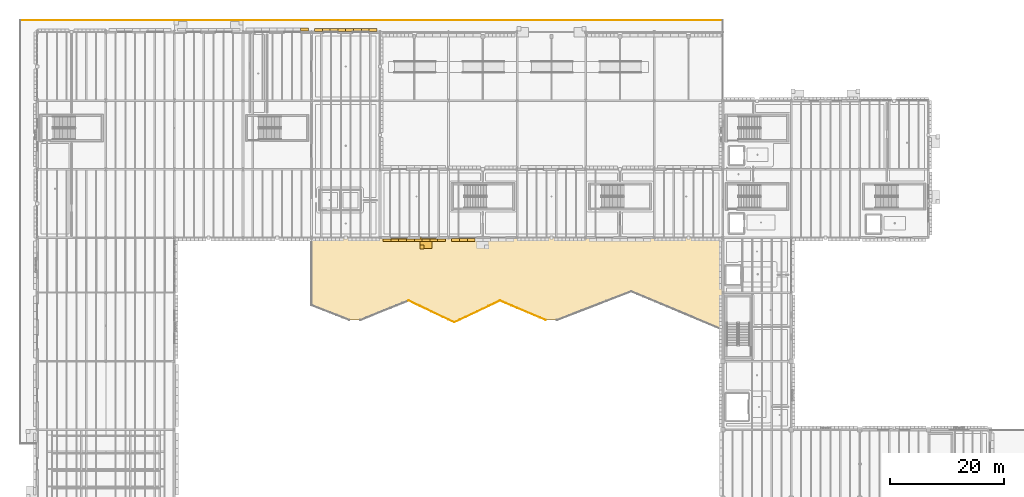
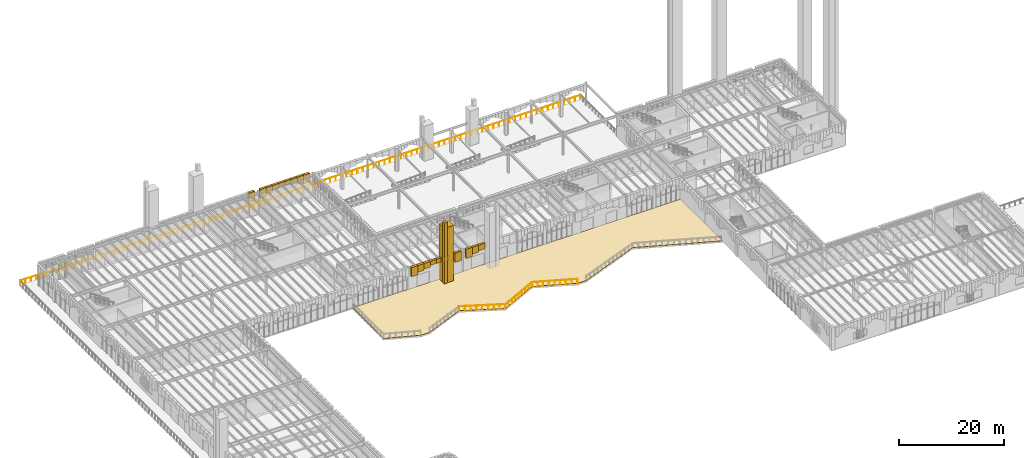
# One storey, part 83 of 103: 23 coverings, 4 railings.
"""IFC4 building model written with IfcOpenShell, lengths in metres."""

from ifc_helpers import new_model, si_unit, direction, frame, origin, origin_2d, place, context, subcontext, project, spatial, polyline, circle, outline, extrude, material, layer, layer_set, type_object, element, save


model = new_model("IFC4")

# Units and contexts
model_context = context("Model", 3, precision=1e-05, world=origin(), true_north=direction((0.0, 1.0)))
body_context = subcontext(model_context, "Body", "Model", "MODEL_VIEW")
ifc_project = project(units=[si_unit("LENGTHUNIT", "METRE"), si_unit("AREAUNIT", "SQUARE_METRE"), si_unit("VOLUMEUNIT", "CUBIC_METRE"), si_unit("PLANEANGLEUNIT", "RADIAN"), si_unit("MASSUNIT", "GRAM", prefix="KILO")], contexts=[model_context])

# Site, building, storey
site_placement = place(None, origin())
site = spatial("IfcSite", under=ifc_project, at=site_placement, CompositionType="ELEMENT")
building_placement = place(site_placement, origin())
building = spatial("IfcBuilding", under=site, at=building_placement, Name="Zlatogorsky Bluff Art Gallery", CompositionType="ELEMENT")
storey_placement = place(building_placement, origin())
storey = spatial("IfcBuildingStorey", under=building, at=storey_placement, Name="L00", CompositionType="ELEMENT", Elevation=0.0)

# Coverings
ifc_material_1 = material(Name="Honed Red Agra-Tone Quartzitic Sandstone", Category="masonry")
ifc_layer_1 = layer(ifc_material_1, 0.1201171875)
ifc_layer_set_1 = layer_set([ifc_layer_1], Name="Carved Sandstone Cladding CLD-02")
covering_type_1 = type_object("IfcCoveringType", Name="Carved Sandstone Cladding CLD-02", PredefinedType="CLADDING", material=ifc_layer_set_1)
covering_1_placement = place(storey_placement, frame((0.0, 0.0, 3.25244140625)))
element("IfcCovering", 1, at=covering_1_placement, inside=storey, type_object=covering_type_1, Name="Pointed Mughal arch voussoir spandrel WARCH-L00-N-03-10-A.8", PredefinedType="CLADDING", context=body_context, shape_type="SweptSolid", body=[
    extrude(outline(polyline([(46.08740234375, 120.18994140625), (47.449951171875, 120.18994140625), (47.449951171875, 120.679931640625), (46.08740234375, 120.679931640625), (46.08740234375, 120.18994140625)])), origin(), (0.0, 0.0, 1.0), 2.107666015625),
])
covering_2_placement = place(storey_placement, frame((0.0, 0.0, 3.25244140625)))
element("IfcCovering", 2, at=covering_2_placement, inside=storey, type_object=covering_type_1, Name="Pointed Mughal arch voussoir spandrel WARCH-L00-N-04-10-A.1", PredefinedType="CLADDING", context=body_context, shape_type="SweptSolid", body=[
    extrude(outline(polyline([(48.550048828125, 120.1298828125), (49.91259765625, 120.1298828125), (49.91259765625, 120.6201171875), (48.550048828125, 120.6201171875), (48.550048828125, 120.1298828125)])), origin(), (0.0, 0.0, 1.0), 2.107666015625),
])
covering_3_placement = place(storey_placement, frame((0.0, 0.0, 3.78369140625)))
element("IfcCovering", 3, at=covering_3_placement, inside=storey, type_object=covering_type_1, Name="Pointed Mughal arch voussoir spandrel WARCH-L00-N-04-10-A.2", PredefinedType="CLADDING", context=body_context, shape_type="SweptSolid", body=[
    extrude(outline(polyline([(49.91259765625, 120.1298828125), (51.27490234375, 120.1298828125), (51.27490234375, 120.6201171875), (49.91259765625, 120.6201171875), (49.91259765625, 120.1298828125)])), origin(), (0.0, 0.0, 1.0), 1.576416015625),
])
covering_4_placement = place(storey_placement, frame((0.0, 0.0, 4.07666015625)))
element("IfcCovering", 4, at=covering_4_placement, inside=storey, type_object=covering_type_1, Name="Pointed Mughal arch voussoir spandrel WARCH-L00-N-04-10-A.3", PredefinedType="CLADDING", context=body_context, shape_type="SweptSolid", body=[
    extrude(outline(polyline([(51.27490234375, 120.1298828125), (52.637451171875, 120.1298828125), (52.637451171875, 120.6201171875), (51.27490234375, 120.6201171875), (51.27490234375, 120.1298828125)])), origin(), (0.0, 0.0, 1.0), 1.283447265625),
])
covering_5_placement = place(storey_placement, frame((0.0, 0.0, 4.4453125)))
element("IfcCovering", 5, at=covering_5_placement, inside=storey, type_object=covering_type_1, Name="Pointed Mughal arch voussoir spandrel WARCH-L00-N-04-10-A.4", PredefinedType="CLADDING", context=body_context, shape_type="SweptSolid", body=[
    extrude(outline(polyline([(52.637451171875, 120.1298828125), (54.0, 120.1298828125), (54.0, 120.6201171875), (52.637451171875, 120.6201171875), (52.637451171875, 120.1298828125)])), origin(), (0.0, 0.0, 1.0), 0.914794921875),
])
covering_6_placement = place(storey_placement, frame((0.0, 0.0, 4.4453125)))
element("IfcCovering", 6, at=covering_6_placement, inside=storey, type_object=covering_type_1, Name="Pointed Mughal arch voussoir spandrel WARCH-L00-N-04-10-A.5", PredefinedType="CLADDING", context=body_context, shape_type="SweptSolid", body=[
    extrude(outline(polyline([(54.0, 120.1298828125), (55.362548828125, 120.1298828125), (55.362548828125, 120.6201171875), (54.0, 120.6201171875), (54.0, 120.1298828125)])), origin(), (0.0, 0.0, 1.0), 0.914794921875),
])
covering_7_placement = place(storey_placement, frame((0.0, 0.0, 4.07666015625)))
element("IfcCovering", 7, at=covering_7_placement, inside=storey, type_object=covering_type_1, Name="Pointed Mughal arch voussoir spandrel WARCH-L00-N-04-10-A.6", PredefinedType="CLADDING", context=body_context, shape_type="SweptSolid", body=[
    extrude(outline(polyline([(55.362548828125, 120.1298828125), (56.72509765625, 120.1298828125), (56.72509765625, 120.6201171875), (55.362548828125, 120.6201171875), (55.362548828125, 120.1298828125)])), origin(), (0.0, 0.0, 1.0), 1.283447265625),
])
covering_8_placement = place(storey_placement, frame((0.0, 0.0, 3.78369140625)))
element("IfcCovering", 8, at=covering_8_placement, inside=storey, type_object=covering_type_1, Name="Pointed Mughal arch voussoir spandrel WARCH-L00-N-04-10-A.7", PredefinedType="CLADDING", context=body_context, shape_type="SweptSolid", body=[
    extrude(outline(polyline([(56.72509765625, 120.1298828125), (58.08740234375, 120.1298828125), (58.08740234375, 120.6201171875), (56.72509765625, 120.6201171875), (56.72509765625, 120.1298828125)])), origin(), (0.0, 0.0, 1.0), 1.576416015625),
])
covering_9_placement = place(storey_placement, frame((0.0, 0.0, 3.25244140625)))
element("IfcCovering", 9, at=covering_9_placement, inside=storey, type_object=covering_type_1, Name="Pointed Mughal arch voussoir spandrel WARCH-L00-N-04-10-A.8", PredefinedType="CLADDING", context=body_context, shape_type="SweptSolid", body=[
    extrude(outline(polyline([(58.08740234375, 120.1298828125), (59.449951171875, 120.1298828125), (59.449951171875, 120.6201171875), (58.08740234375, 120.6201171875), (58.08740234375, 120.1298828125)])), origin(), (0.0, 0.0, 1.0), 2.107666015625),
])
covering_10_placement = place(storey_placement, frame((0.0, 0.0, 3.21240234375)))
element("IfcCovering", 10, at=covering_10_placement, inside=storey, type_object=covering_type_1, Name="Pointed Mughal arch voussoir spandrel WARCH-L00-S-05-08-A.1", PredefinedType="CLADDING", context=body_context, shape_type="SweptSolid", body=[
    extrude(outline(polyline([(60.550048828125, 83.320068359375), (61.91259765625, 83.320068359375), (61.91259765625, 83.81005859375), (60.550048828125, 83.81005859375), (60.550048828125, 83.320068359375)])), origin(), (0.0, 0.0, 1.0), 2.147705078125),
])
covering_11_placement = place(storey_placement, frame((0.0, 0.0, 3.743896484375)))
element("IfcCovering", 11, at=covering_11_placement, inside=storey, type_object=covering_type_1, Name="Pointed Mughal arch voussoir spandrel WARCH-L00-S-05-08-A.2", PredefinedType="CLADDING", context=body_context, shape_type="SweptSolid", body=[
    extrude(outline(polyline([(61.91259765625, 83.320068359375), (63.27490234375, 83.320068359375), (63.27490234375, 83.81005859375), (61.91259765625, 83.81005859375), (61.91259765625, 83.320068359375)])), origin(), (0.0, 0.0, 1.0), 1.6162109375),
])
covering_12_placement = place(storey_placement, frame((0.0, 0.0, 4.03662109375)))
element("IfcCovering", 12, at=covering_12_placement, inside=storey, type_object=covering_type_1, Name="Pointed Mughal arch voussoir spandrel WARCH-L00-S-05-08-A.3", PredefinedType="CLADDING", context=body_context, shape_type="SweptSolid", body=[
    extrude(outline(polyline([(63.27490234375, 83.320068359375), (64.637451171875, 83.320068359375), (64.637451171875, 83.81005859375), (63.27490234375, 83.81005859375), (63.27490234375, 83.320068359375)])), origin(), (0.0, 0.0, 1.0), 1.323486328125),
])
covering_13_placement = place(storey_placement, frame((0.0, 0.0, 4.405517578125)))
element("IfcCovering", 13, at=covering_13_placement, inside=storey, type_object=covering_type_1, Name="Pointed Mughal arch voussoir spandrel WARCH-L00-S-05-08-A.4", PredefinedType="CLADDING", context=body_context, shape_type="SweptSolid", body=[
    extrude(outline(polyline([(64.637451171875, 83.320068359375), (66.0, 83.320068359375), (66.0, 83.81005859375), (64.637451171875, 83.81005859375), (64.637451171875, 83.320068359375)])), origin(), (0.0, 0.0, 1.0), 0.95458984375),
])
covering_14_placement = place(storey_placement, frame((0.0, 0.0, 4.405517578125)))
element("IfcCovering", 14, at=covering_14_placement, inside=storey, type_object=covering_type_1, Name="Pointed Mughal arch voussoir spandrel WARCH-L00-S-05-08-A.5", PredefinedType="CLADDING", context=body_context, shape_type="SweptSolid", body=[
    extrude(outline(polyline([(66.0, 83.320068359375), (67.362548828125, 83.320068359375), (67.362548828125, 83.81005859375), (66.0, 83.81005859375), (66.0, 83.320068359375)])), origin(), (0.0, 0.0, 1.0), 0.95458984375),
])
covering_15_placement = place(storey_placement, frame((0.0, 0.0, 4.03662109375)))
element("IfcCovering", 15, at=covering_15_placement, inside=storey, type_object=covering_type_1, Name="Pointed Mughal arch voussoir spandrel WARCH-L00-S-05-08-A.6", PredefinedType="CLADDING", context=body_context, shape_type="SweptSolid", body=[
    extrude(outline(polyline([(67.362548828125, 83.320068359375), (68.72509765625, 83.320068359375), (68.72509765625, 83.81005859375), (67.362548828125, 83.81005859375), (67.362548828125, 83.320068359375)])), origin(), (0.0, 0.0, 1.0), 1.323486328125),
])
covering_16_placement = place(storey_placement, frame((0.0, 0.0, 3.743896484375)))
element("IfcCovering", 16, at=covering_16_placement, inside=storey, type_object=covering_type_1, Name="Pointed Mughal arch voussoir spandrel WARCH-L00-S-05-08-A.7", PredefinedType="CLADDING", context=body_context, shape_type="SweptSolid", body=[
    extrude(outline(polyline([(68.72509765625, 83.320068359375), (70.08740234375, 83.320068359375), (70.08740234375, 83.81005859375), (68.72509765625, 83.81005859375), (68.72509765625, 83.320068359375)])), origin(), (0.0, 0.0, 1.0), 1.6162109375),
])
covering_17_placement = place(storey_placement, frame((0.0, 0.0, 3.21240234375)))
element("IfcCovering", 17, at=covering_17_placement, inside=storey, type_object=covering_type_1, Name="Pointed Mughal arch voussoir spandrel WARCH-L00-S-05-08-A.8", PredefinedType="CLADDING", context=body_context, shape_type="SweptSolid", body=[
    extrude(outline(polyline([(70.08740234375, 83.320068359375), (71.449951171875, 83.320068359375), (71.449951171875, 83.81005859375), (70.08740234375, 83.81005859375), (70.08740234375, 83.320068359375)])), origin(), (0.0, 0.0, 1.0), 2.147705078125),
])
covering_18_placement = place(storey_placement, frame((0.0, 0.0, 3.21240234375)))
element("IfcCovering", 18, at=covering_18_placement, inside=storey, type_object=covering_type_1, Name="Pointed Mughal arch voussoir spandrel WARCH-L00-S-06-08-A.1", PredefinedType="CLADDING", context=body_context, shape_type="SweptSolid", body=[
    extrude(outline(polyline([(72.550048828125, 83.3798828125), (73.91259765625, 83.3798828125), (73.91259765625, 83.8701171875), (72.550048828125, 83.8701171875), (72.550048828125, 83.3798828125)])), origin(), (0.0, 0.0, 1.0), 2.147705078125),
])
covering_19_placement = place(storey_placement, frame((0.0, 0.0, 3.743896484375)))
element("IfcCovering", 19, at=covering_19_placement, inside=storey, type_object=covering_type_1, Name="Pointed Mughal arch voussoir spandrel WARCH-L00-S-06-08-A.2", PredefinedType="CLADDING", context=body_context, shape_type="SweptSolid", body=[
    extrude(outline(polyline([(73.91259765625, 83.3798828125), (75.27490234375, 83.3798828125), (75.27490234375, 83.8701171875), (73.91259765625, 83.8701171875), (73.91259765625, 83.3798828125)])), origin(), (0.0, 0.0, 1.0), 1.6162109375),
])
covering_20_placement = place(storey_placement, frame((0.0, 0.0, 4.03662109375)))
element("IfcCovering", 20, at=covering_20_placement, inside=storey, type_object=covering_type_1, Name="Pointed Mughal arch voussoir spandrel WARCH-L00-S-06-08-A.3", PredefinedType="CLADDING", context=body_context, shape_type="SweptSolid", body=[
    extrude(outline(polyline([(75.27490234375, 83.3798828125), (76.637451171875, 83.3798828125), (76.637451171875, 83.8701171875), (75.27490234375, 83.8701171875), (75.27490234375, 83.3798828125)])), origin(), (0.0, 0.0, 1.0), 1.323486328125),
])
covering_21_placement = place(storey_placement, origin())
element("IfcCovering", 21, at=covering_21_placement, inside=storey, type_object=covering_type_1, Name="Monumental Pishtaq portal pier PISHTAQ-COURT-IWAN.L", PredefinedType="CLADDING", context=body_context, shape_type="SweptSolid", body=[
    extrude(outline(polyline([(67.0, 82.14990234375), (69.10009765625, 82.14990234375), (69.10009765625, 84.0400390625), (67.0, 84.0400390625), (67.0, 82.14990234375)])), origin(), (0.0, 0.0, 1.0), 12.89990234375),
])

# Railings
ifc_material_2 = material(Name="Architectural Bronze and Laminated Glass", Category="glass")
railing_type = type_object("IfcRailingType", Name="Gallery Guard Rail 1100mm", PredefinedType="GUARDRAIL", material=ifc_material_2)
railing_1_placement = place(storey_placement, frame((-3.0, 122.10009765625, 0.0)))
element("IfcRailing", 22, at=railing_1_placement, inside=storey, type_object=railing_type, Name="Upper bluff terrace perimeter balustrade NSK-03", PredefinedType="GUARDRAIL", context=body_context, shape_type="SweptSolid", body=[
    extrude(circle(Radius=0.02392578125, at=origin_2d()), frame((0.0, 0.0, 1.076171875), z_axis=(1.0, 0.0, 0.0), x_axis=(0.0, 1.0, 0.0)), (0.0, 0.0, 1.0), 123.0),
    extrude(circle(Radius=0.02099609375, at=origin_2d()), origin(), (0.0, 0.0, 1.0), 1.052001953125),
    extrude(circle(Radius=0.02099609375, at=origin_2d()), frame((1.194091796875, 0.0, 0.0)), (0.0, 0.0, 1.0), 1.052001953125),
    extrude(circle(Radius=0.02099609375, at=origin_2d()), frame((2.388427734375, 0.0, 0.0)), (0.0, 0.0, 1.0), 1.052001953125),
    extrude(circle(Radius=0.02099609375, at=origin_2d()), frame((3.58251953125, 0.0, 0.0)), (0.0, 0.0, 1.0), 1.052001953125),
    extrude(circle(Radius=0.02099609375, at=origin_2d()), frame((4.776611328125, 0.0, 0.0)), (0.0, 0.0, 1.0), 1.052001953125),
    extrude(circle(Radius=0.02099609375, at=origin_2d()), frame((5.970947265625, 0.0, 0.0)), (0.0, 0.0, 1.0), 1.052001953125),
    extrude(circle(Radius=0.02099609375, at=origin_2d()), frame((7.1650390625, 0.0, 0.0)), (0.0, 0.0, 1.0), 1.052001953125),
    extrude(circle(Radius=0.02099609375, at=origin_2d()), frame((8.359130859375, 0.0, 0.0)), (0.0, 0.0, 1.0), 1.052001953125),
    extrude(circle(Radius=0.02099609375, at=origin_2d()), frame((9.553466796875, 0.0, 0.0)), (0.0, 0.0, 1.0), 1.052001953125),
    extrude(circle(Radius=0.02099609375, at=origin_2d()), frame((10.74755859375, 0.0, 0.0)), (0.0, 0.0, 1.0), 1.052001953125),
    extrude(circle(Radius=0.02099609375, at=origin_2d()), frame((11.941650390625, 0.0, 0.0)), (0.0, 0.0, 1.0), 1.052001953125),
    extrude(circle(Radius=0.02099609375, at=origin_2d()), frame((13.135986328125, 0.0, 0.0)), (0.0, 0.0, 1.0), 1.052001953125),
    extrude(circle(Radius=0.02099609375, at=origin_2d()), frame((14.330078125, 0.0, 0.0)), (0.0, 0.0, 1.0), 1.052001953125),
    extrude(circle(Radius=0.02099609375, at=origin_2d()), frame((15.524169921875, 0.0, 0.0)), (0.0, 0.0, 1.0), 1.052001953125),
    extrude(circle(Radius=0.02099609375, at=origin_2d()), frame((16.718505859375, 0.0, 0.0)), (0.0, 0.0, 1.0), 1.052001953125),
    extrude(circle(Radius=0.02099609375, at=origin_2d()), frame((17.91259765625, 0.0, 0.0)), (0.0, 0.0, 1.0), 1.052001953125),
    extrude(circle(Radius=0.02099609375, at=origin_2d()), frame((19.106689453125, 0.0, 0.0)), (0.0, 0.0, 1.0), 1.052001953125),
    extrude(circle(Radius=0.02099609375, at=origin_2d()), frame((20.301025390625, 0.0, 0.0)), (0.0, 0.0, 1.0), 1.052001953125),
    extrude(circle(Radius=0.02099609375, at=origin_2d()), frame((21.4951171875, 0.0, 0.0)), (0.0, 0.0, 1.0), 1.052001953125),
    extrude(circle(Radius=0.02099609375, at=origin_2d()), frame((22.689208984375, 0.0, 0.0)), (0.0, 0.0, 1.0), 1.052001953125),
    extrude(circle(Radius=0.02099609375, at=origin_2d()), frame((23.883544921875, 0.0, 0.0)), (0.0, 0.0, 1.0), 1.052001953125),
    extrude(circle(Radius=0.02099609375, at=origin_2d()), frame((25.07763671875, 0.0, 0.0)), (0.0, 0.0, 1.0), 1.052001953125),
    extrude(circle(Radius=0.02099609375, at=origin_2d()), frame((26.271728515625, 0.0, 0.0)), (0.0, 0.0, 1.0), 1.052001953125),
    extrude(circle(Radius=0.02099609375, at=origin_2d()), frame((27.466064453125, 0.0, 0.0)), (0.0, 0.0, 1.0), 1.052001953125),
    extrude(circle(Radius=0.02099609375, at=origin_2d()), frame((28.66015625, 0.0, 0.0)), (0.0, 0.0, 1.0), 1.052001953125),
    extrude(circle(Radius=0.02099609375, at=origin_2d()), frame((29.854248046875, 0.0, 0.0)), (0.0, 0.0, 1.0), 1.052001953125),
    extrude(circle(Radius=0.02099609375, at=origin_2d()), frame((31.048583984375, 0.0, 0.0)), (0.0, 0.0, 1.0), 1.052001953125),
    extrude(circle(Radius=0.02099609375, at=origin_2d()), frame((32.24267578125, 0.0, 0.0)), (0.0, 0.0, 1.0), 1.052001953125),
    extrude(circle(Radius=0.02099609375, at=origin_2d()), frame((33.43701171875, 0.0, 0.0)), (0.0, 0.0, 1.0), 1.052001953125),
    extrude(circle(Radius=0.02099609375, at=origin_2d()), frame((34.631103515625, 0.0, 0.0)), (0.0, 0.0, 1.0), 1.052001953125),
    extrude(circle(Radius=0.02099609375, at=origin_2d()), frame((35.8251953125, 0.0, 0.0)), (0.0, 0.0, 1.0), 1.052001953125),
    extrude(circle(Radius=0.02099609375, at=origin_2d()), frame((37.01953125, 0.0, 0.0)), (0.0, 0.0, 1.0), 1.052001953125),
    extrude(circle(Radius=0.02099609375, at=origin_2d()), frame((38.213623046875, 0.0, 0.0)), (0.0, 0.0, 1.0), 1.052001953125),
    extrude(circle(Radius=0.02099609375, at=origin_2d()), frame((39.40771484375, 0.0, 0.0)), (0.0, 0.0, 1.0), 1.052001953125),
    extrude(circle(Radius=0.02099609375, at=origin_2d()), frame((40.60205078125, 0.0, 0.0)), (0.0, 0.0, 1.0), 1.052001953125),
    extrude(circle(Radius=0.02099609375, at=origin_2d()), frame((41.796142578125, 0.0, 0.0)), (0.0, 0.0, 1.0), 1.052001953125),
    extrude(circle(Radius=0.02099609375, at=origin_2d()), frame((42.990234375, 0.0, 0.0)), (0.0, 0.0, 1.0), 1.052001953125),
    extrude(circle(Radius=0.02099609375, at=origin_2d()), frame((44.1845703125, 0.0, 0.0)), (0.0, 0.0, 1.0), 1.052001953125),
    extrude(circle(Radius=0.02099609375, at=origin_2d()), frame((45.378662109375, 0.0, 0.0)), (0.0, 0.0, 1.0), 1.052001953125),
    extrude(circle(Radius=0.02099609375, at=origin_2d()), frame((46.57275390625, 0.0, 0.0)), (0.0, 0.0, 1.0), 1.052001953125),
    extrude(circle(Radius=0.02099609375, at=origin_2d()), frame((47.76708984375, 0.0, 0.0)), (0.0, 0.0, 1.0), 1.052001953125),
    extrude(circle(Radius=0.02099609375, at=origin_2d()), frame((48.961181640625, 0.0, 0.0)), (0.0, 0.0, 1.0), 1.052001953125),
    extrude(circle(Radius=0.02099609375, at=origin_2d()), frame((50.1552734375, 0.0, 0.0)), (0.0, 0.0, 1.0), 1.052001953125),
    extrude(circle(Radius=0.02099609375, at=origin_2d()), frame((51.349609375, 0.0, 0.0)), (0.0, 0.0, 1.0), 1.052001953125),
    extrude(circle(Radius=0.02099609375, at=origin_2d()), frame((52.543701171875, 0.0, 0.0)), (0.0, 0.0, 1.0), 1.052001953125),
    extrude(circle(Radius=0.02099609375, at=origin_2d()), frame((53.73779296875, 0.0, 0.0)), (0.0, 0.0, 1.0), 1.052001953125),
    extrude(circle(Radius=0.02099609375, at=origin_2d()), frame((54.93212890625, 0.0, 0.0)), (0.0, 0.0, 1.0), 1.052001953125),
    extrude(circle(Radius=0.02099609375, at=origin_2d()), frame((56.126220703125, 0.0, 0.0)), (0.0, 0.0, 1.0), 1.052001953125),
    extrude(circle(Radius=0.02099609375, at=origin_2d()), frame((57.3203125, 0.0, 0.0)), (0.0, 0.0, 1.0), 1.052001953125),
    extrude(circle(Radius=0.02099609375, at=origin_2d()), frame((58.5146484375, 0.0, 0.0)), (0.0, 0.0, 1.0), 1.052001953125),
    extrude(circle(Radius=0.02099609375, at=origin_2d()), frame((59.708740234375, 0.0, 0.0)), (0.0, 0.0, 1.0), 1.052001953125),
    extrude(circle(Radius=0.02099609375, at=origin_2d()), frame((60.90283203125, 0.0, 0.0)), (0.0, 0.0, 1.0), 1.052001953125),
    extrude(circle(Radius=0.02099609375, at=origin_2d()), frame((62.09716796875, 0.0, 0.0)), (0.0, 0.0, 1.0), 1.052001953125),
    extrude(circle(Radius=0.02099609375, at=origin_2d()), frame((63.291259765625, 0.0, 0.0)), (0.0, 0.0, 1.0), 1.052001953125),
    extrude(circle(Radius=0.02099609375, at=origin_2d()), frame((64.4853515625, 0.0, 0.0)), (0.0, 0.0, 1.0), 1.052001953125),
    extrude(circle(Radius=0.02099609375, at=origin_2d()), frame((65.6796875, 0.0, 0.0)), (0.0, 0.0, 1.0), 1.052001953125),
    extrude(circle(Radius=0.02099609375, at=origin_2d()), frame((66.873779296875, 0.0, 0.0)), (0.0, 0.0, 1.0), 1.052001953125),
    extrude(circle(Radius=0.02099609375, at=origin_2d()), frame((68.06787109375, 0.0, 0.0)), (0.0, 0.0, 1.0), 1.052001953125),
    extrude(circle(Radius=0.02099609375, at=origin_2d()), frame((69.26220703125, 0.0, 0.0)), (0.0, 0.0, 1.0), 1.052001953125),
    extrude(circle(Radius=0.02099609375, at=origin_2d()), frame((70.456298828125, 0.0, 0.0)), (0.0, 0.0, 1.0), 1.052001953125),
    extrude(circle(Radius=0.02099609375, at=origin_2d()), frame((71.650390625, 0.0, 0.0)), (0.0, 0.0, 1.0), 1.052001953125),
    extrude(circle(Radius=0.02099609375, at=origin_2d()), frame((72.8447265625, 0.0, 0.0)), (0.0, 0.0, 1.0), 1.052001953125),
    extrude(circle(Radius=0.02099609375, at=origin_2d()), frame((74.038818359375, 0.0, 0.0)), (0.0, 0.0, 1.0), 1.052001953125),
    extrude(circle(Radius=0.02099609375, at=origin_2d()), frame((75.23291015625, 0.0, 0.0)), (0.0, 0.0, 1.0), 1.052001953125),
    extrude(circle(Radius=0.02099609375, at=origin_2d()), frame((76.42724609375, 0.0, 0.0)), (0.0, 0.0, 1.0), 1.052001953125),
    extrude(circle(Radius=0.02099609375, at=origin_2d()), frame((77.621337890625, 0.0, 0.0)), (0.0, 0.0, 1.0), 1.052001953125),
    extrude(circle(Radius=0.02099609375, at=origin_2d()), frame((78.8154296875, 0.0, 0.0)), (0.0, 0.0, 1.0), 1.052001953125),
    extrude(circle(Radius=0.02099609375, at=origin_2d()), frame((80.009765625, 0.0, 0.0)), (0.0, 0.0, 1.0), 1.052001953125),
    extrude(circle(Radius=0.02099609375, at=origin_2d()), frame((81.203857421875, 0.0, 0.0)), (0.0, 0.0, 1.0), 1.052001953125),
    extrude(circle(Radius=0.02099609375, at=origin_2d()), frame((82.39794921875, 0.0, 0.0)), (0.0, 0.0, 1.0), 1.052001953125),
    extrude(circle(Radius=0.02099609375, at=origin_2d()), frame((83.59228515625, 0.0, 0.0)), (0.0, 0.0, 1.0), 1.052001953125),
    extrude(circle(Radius=0.02099609375, at=origin_2d()), frame((84.786376953125, 0.0, 0.0)), (0.0, 0.0, 1.0), 1.052001953125),
    extrude(circle(Radius=0.02099609375, at=origin_2d()), frame((85.98046875, 0.0, 0.0)), (0.0, 0.0, 1.0), 1.052001953125),
    extrude(circle(Radius=0.02099609375, at=origin_2d()), frame((87.1748046875, 0.0, 0.0)), (0.0, 0.0, 1.0), 1.052001953125),
    extrude(circle(Radius=0.02099609375, at=origin_2d()), frame((88.368896484375, 0.0, 0.0)), (0.0, 0.0, 1.0), 1.052001953125),
    extrude(circle(Radius=0.02099609375, at=origin_2d()), frame((89.56298828125, 0.0, 0.0)), (0.0, 0.0, 1.0), 1.052001953125),
    extrude(circle(Radius=0.02099609375, at=origin_2d()), frame((90.75732421875, 0.0, 0.0)), (0.0, 0.0, 1.0), 1.052001953125),
    extrude(circle(Radius=0.02099609375, at=origin_2d()), frame((91.951416015625, 0.0, 0.0)), (0.0, 0.0, 1.0), 1.052001953125),
    extrude(circle(Radius=0.02099609375, at=origin_2d()), frame((93.145751953125, 0.0, 0.0)), (0.0, 0.0, 1.0), 1.052001953125),
    extrude(circle(Radius=0.02099609375, at=origin_2d()), frame((94.33984375, 0.0, 0.0)), (0.0, 0.0, 1.0), 1.052001953125),
    extrude(circle(Radius=0.02099609375, at=origin_2d()), frame((95.533935546875, 0.0, 0.0)), (0.0, 0.0, 1.0), 1.052001953125),
    extrude(circle(Radius=0.02099609375, at=origin_2d()), frame((96.728271484375, 0.0, 0.0)), (0.0, 0.0, 1.0), 1.052001953125),
    extrude(circle(Radius=0.02099609375, at=origin_2d()), frame((97.92236328125, 0.0, 0.0)), (0.0, 0.0, 1.0), 1.052001953125),
    extrude(circle(Radius=0.02099609375, at=origin_2d()), frame((99.116455078125, 0.0, 0.0)), (0.0, 0.0, 1.0), 1.052001953125),
    extrude(circle(Radius=0.02099609375, at=origin_2d()), frame((100.310791015625, 0.0, 0.0)), (0.0, 0.0, 1.0), 1.052001953125),
    extrude(circle(Radius=0.02099609375, at=origin_2d()), frame((101.5048828125, 0.0, 0.0)), (0.0, 0.0, 1.0), 1.052001953125),
    extrude(circle(Radius=0.02099609375, at=origin_2d()), frame((102.698974609375, 0.0, 0.0)), (0.0, 0.0, 1.0), 1.052001953125),
    extrude(circle(Radius=0.02099609375, at=origin_2d()), frame((103.893310546875, 0.0, 0.0)), (0.0, 0.0, 1.0), 1.052001953125),
    extrude(circle(Radius=0.02099609375, at=origin_2d()), frame((105.08740234375, 0.0, 0.0)), (0.0, 0.0, 1.0), 1.052001953125),
    extrude(circle(Radius=0.02099609375, at=origin_2d()), frame((106.281494140625, 0.0, 0.0)), (0.0, 0.0, 1.0), 1.052001953125),
    extrude(circle(Radius=0.02099609375, at=origin_2d()), frame((107.475830078125, 0.0, 0.0)), (0.0, 0.0, 1.0), 1.052001953125),
    extrude(circle(Radius=0.02099609375, at=origin_2d()), frame((108.669921875, 0.0, 0.0)), (0.0, 0.0, 1.0), 1.052001953125),
    extrude(circle(Radius=0.02099609375, at=origin_2d()), frame((109.864013671875, 0.0, 0.0)), (0.0, 0.0, 1.0), 1.052001953125),
    extrude(circle(Radius=0.02099609375, at=origin_2d()), frame((111.058349609375, 0.0, 0.0)), (0.0, 0.0, 1.0), 1.052001953125),
    extrude(circle(Radius=0.02099609375, at=origin_2d()), frame((112.25244140625, 0.0, 0.0)), (0.0, 0.0, 1.0), 1.052001953125),
    extrude(circle(Radius=0.02099609375, at=origin_2d()), frame((113.446533203125, 0.0, 0.0)), (0.0, 0.0, 1.0), 1.052001953125),
    extrude(circle(Radius=0.02099609375, at=origin_2d()), frame((114.640869140625, 0.0, 0.0)), (0.0, 0.0, 1.0), 1.052001953125),
    extrude(circle(Radius=0.02099609375, at=origin_2d()), frame((115.8349609375, 0.0, 0.0)), (0.0, 0.0, 1.0), 1.052001953125),
    extrude(circle(Radius=0.02099609375, at=origin_2d()), frame((117.029052734375, 0.0, 0.0)), (0.0, 0.0, 1.0), 1.052001953125),
    extrude(circle(Radius=0.02099609375, at=origin_2d()), frame((118.223388671875, 0.0, 0.0)), (0.0, 0.0, 1.0), 1.052001953125),
    extrude(circle(Radius=0.02099609375, at=origin_2d()), frame((119.41748046875, 0.0, 0.0)), (0.0, 0.0, 1.0), 1.052001953125),
    extrude(circle(Radius=0.02099609375, at=origin_2d()), frame((120.611572265625, 0.0, 0.0)), (0.0, 0.0, 1.0), 1.052001953125),
    extrude(circle(Radius=0.02099609375, at=origin_2d()), frame((121.805908203125, 0.0, 0.0)), (0.0, 0.0, 1.0), 1.052001953125),
    extrude(circle(Radius=0.02099609375, at=origin_2d()), frame((123.0, 0.0, 0.0)), (0.0, 0.0, 1.0), 1.052001953125),
])
railing_2_placement = place(storey_placement, frame((65.0, 73.0, 0.0)))
element("IfcRailing", 23, at=railing_2_placement, inside=storey, type_object=railing_type, Name="Upper bluff terrace perimeter balustrade RIM-05", PredefinedType="GUARDRAIL", context=body_context, shape_type="SweptSolid", body=[
    extrude(circle(Radius=0.02392578125, at=origin_2d()), frame((0.0, 0.0, 1.076171875), z_axis=(0.903275367679, -0.429061312803, 0.0), x_axis=(0.429061312803, 0.903275367679, 0.0)), (0.0, 0.0, 1.0), 8.856689453125),
    extrude(circle(Radius=0.02099609375, at=origin_2d()), origin(), (0.0, 0.0, 1.0), 1.052001953125),
    extrude(circle(Radius=0.02099609375, at=origin_2d()), frame((1.0, -0.47509765625, 0.0)), (0.0, 0.0, 1.0), 1.052001953125),
    extrude(circle(Radius=0.02099609375, at=origin_2d()), frame((2.0, -0.949951171875, 0.0)), (0.0, 0.0, 1.0), 1.052001953125),
    extrude(circle(Radius=0.02099609375, at=origin_2d()), frame((3.0, -1.425048828125, 0.0)), (0.0, 0.0, 1.0), 1.052001953125),
    extrude(circle(Radius=0.02099609375, at=origin_2d()), frame((4.0, -1.89990234375, 0.0)), (0.0, 0.0, 1.0), 1.052001953125),
    extrude(circle(Radius=0.02099609375, at=origin_2d()), frame((5.0, -2.375, 0.0)), (0.0, 0.0, 1.0), 1.052001953125),
    extrude(circle(Radius=0.02099609375, at=origin_2d()), frame((6.0, -2.85009765625, 0.0)), (0.0, 0.0, 1.0), 1.052001953125),
    extrude(circle(Radius=0.02099609375, at=origin_2d()), frame((7.0, -3.324951171875, 0.0)), (0.0, 0.0, 1.0), 1.052001953125),
    extrude(circle(Radius=0.02099609375, at=origin_2d()), frame((8.0, -3.800048828125, 0.0)), (0.0, 0.0, 1.0), 1.052001953125),
])
railing_3_placement = place(storey_placement, frame((73.0, 69.199951171875, 0.0)))
element("IfcRailing", 24, at=railing_3_placement, inside=storey, type_object=railing_type, Name="Upper bluff terrace perimeter balustrade RIM-06", PredefinedType="GUARDRAIL", context=body_context, shape_type="SweptSolid", body=[
    extrude(circle(Radius=0.02392578125, at=origin_2d()), frame((0.0, 0.0, 1.076171875), z_axis=(0.903275367679, 0.429061312803, 0.0), x_axis=(-0.429061312803, 0.903275367679, 0.0)), (0.0, 0.0, 1.0), 8.856689453125),
    extrude(circle(Radius=0.02099609375, at=origin_2d()), origin(), (0.0, 0.0, 1.0), 1.052001953125),
    extrude(circle(Radius=0.02099609375, at=origin_2d()), frame((1.0, 0.47509765625, 0.0)), (0.0, 0.0, 1.0), 1.052001953125),
    extrude(circle(Radius=0.02099609375, at=origin_2d()), frame((2.0, 0.949951171875, 0.0)), (0.0, 0.0, 1.0), 1.052001953125),
    extrude(circle(Radius=0.02099609375, at=origin_2d()), frame((3.0, 1.425048828125, 0.0)), (0.0, 0.0, 1.0), 1.052001953125),
    extrude(circle(Radius=0.02099609375, at=origin_2d()), frame((4.0, 1.89990234375, 0.0)), (0.0, 0.0, 1.0), 1.052001953125),
    extrude(circle(Radius=0.02099609375, at=origin_2d()), frame((5.0, 2.375, 0.0)), (0.0, 0.0, 1.0), 1.052001953125),
    extrude(circle(Radius=0.02099609375, at=origin_2d()), frame((6.0, 2.85009765625, 0.0)), (0.0, 0.0, 1.0), 1.052001953125),
    extrude(circle(Radius=0.02099609375, at=origin_2d()), frame((7.0, 3.324951171875, 0.0)), (0.0, 0.0, 1.0), 1.052001953125),
    extrude(circle(Radius=0.02099609375, at=origin_2d()), frame((8.0, 3.800048828125, 0.0)), (0.0, 0.0, 1.0), 1.052001953125),
])
railing_4_placement = place(storey_placement, frame((81.0, 73.0, 0.0)))
element("IfcRailing", 25, at=railing_4_placement, inside=storey, type_object=railing_type, Name="Upper bluff terrace perimeter balustrade RIM-07", PredefinedType="GUARDRAIL", context=body_context, shape_type="SweptSolid", body=[
    extrude(circle(Radius=0.02392578125, at=origin_2d()), frame((0.0, 0.0, 1.076171875), z_axis=(0.920334962612, -0.391131124553, 0.0), x_axis=(0.391131124553, 0.920334962612, 0.0)), (0.0, 0.0, 1.0), 8.6923828125),
    extrude(circle(Radius=0.02099609375, at=origin_2d()), origin(), (0.0, 0.0, 1.0), 1.052001953125),
    extrude(circle(Radius=0.02099609375, at=origin_2d()), frame((1.0, -0.425048828125, 0.0)), (0.0, 0.0, 1.0), 1.052001953125),
    extrude(circle(Radius=0.02099609375, at=origin_2d()), frame((2.0, -0.85009765625, 0.0)), (0.0, 0.0, 1.0), 1.052001953125),
    extrude(circle(Radius=0.02099609375, at=origin_2d()), frame((3.0, -1.27490234375, 0.0)), (0.0, 0.0, 1.0), 1.052001953125),
    extrude(circle(Radius=0.02099609375, at=origin_2d()), frame((4.0, -1.699951171875, 0.0)), (0.0, 0.0, 1.0), 1.052001953125),
    extrude(circle(Radius=0.02099609375, at=origin_2d()), frame((5.0, -2.125, 0.0)), (0.0, 0.0, 1.0), 1.052001953125),
    extrude(circle(Radius=0.02099609375, at=origin_2d()), frame((6.0, -2.5498046875, 0.0)), (0.0, 0.0, 1.0), 1.052001953125),
    extrude(circle(Radius=0.02099609375, at=origin_2d()), frame((7.0, -2.974853515625, 0.0)), (0.0, 0.0, 1.0), 1.052001953125),
    extrude(circle(Radius=0.02099609375, at=origin_2d()), frame((8.0, -3.39990234375, 0.0)), (0.0, 0.0, 1.0), 1.052001953125),
])

# Coverings
ifc_material_3 = material(Name="Flamed Karelian Granite and Red Porphyry Charbagh Paving", Category="masonry")
ifc_layer_2 = layer(ifc_material_3, 0.06005859375)
ifc_layer_set_2 = layer_set([ifc_layer_2], Name="Granite Plaza Paving PAV-01")
covering_type_2 = type_object("IfcCoveringType", Name="Granite Plaza Paving PAV-01", PredefinedType="FLOORING", material=ifc_layer_set_2)
covering_22_placement = place(storey_placement, origin())
element("IfcCovering", 26, at=covering_22_placement, inside=storey, type_object=covering_type_2, Name="Charbagh granite & porphyry paving TERR-L00-R-01", PredefinedType="FLOORING", context=body_context, shape_type="SweptSolid", body=[
    extrude(outline(polyline([(60.0, 84.0), (72.0, 84.0), (84.0, 84.0), (96.0, 84.0), (108.0, 84.0), (120.0, 84.0), (120.0, 74.39990234375), (120.0, 68.0), (104.0, 74.60009765625), (91.050048828125, 69.619140625), (91.050048828125, 69.580078125), (88.949951171875, 69.580078125), (88.949951171875, 69.621337890625), (81.0, 73.0), (73.0, 69.199951171875), (65.0, 73.0), (56.64990234375, 69.620361328125), (56.64990234375, 69.580078125), (54.550048828125, 69.580078125), (54.550048828125, 69.61962890625), (48.0, 72.199951171875), (48.0, 84.0), (60.0, 84.0)])), origin(), (0.0, 0.0, 1.0), 0.050048828125),
])
ifc_material_4 = material(Name="Patinated Architectural Bronze Fin", Category="metal")
ifc_layer_3 = layer(ifc_material_4, 0.110107421875)
ifc_layer_set_3 = layer_set([ifc_layer_3], Name="Vertical Gallery Fin FIN-01")
covering_type_3 = type_object("IfcCoveringType", Name="Vertical Gallery Fin FIN-01", PredefinedType="CLADDING", material=ifc_layer_set_3)
covering_23_placement = place(storey_placement, origin())
element("IfcCovering", 27, at=covering_23_placement, inside=storey, type_object=covering_type_3, Name="Pishtaq corner guldasta turret PISHTAQ-COURT-IWAN.L", PredefinedType="CLADDING", context=body_context, shape_type="SweptSolid", body=[
    extrude(outline(polyline([(66.9599609375, 82.0400390625), (67.679931640625, 82.0400390625), (67.679931640625, 82.760009765625), (66.9599609375, 82.760009765625), (66.9599609375, 82.0400390625)])), origin(), (0.0, 0.0, 1.0), 14.25),
])

save(model, "model.ifc")
